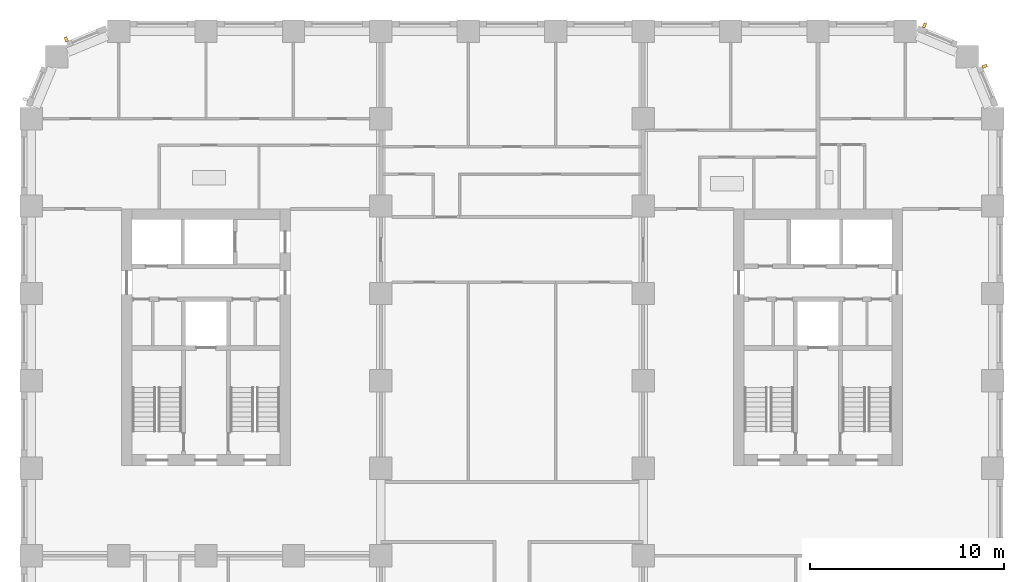
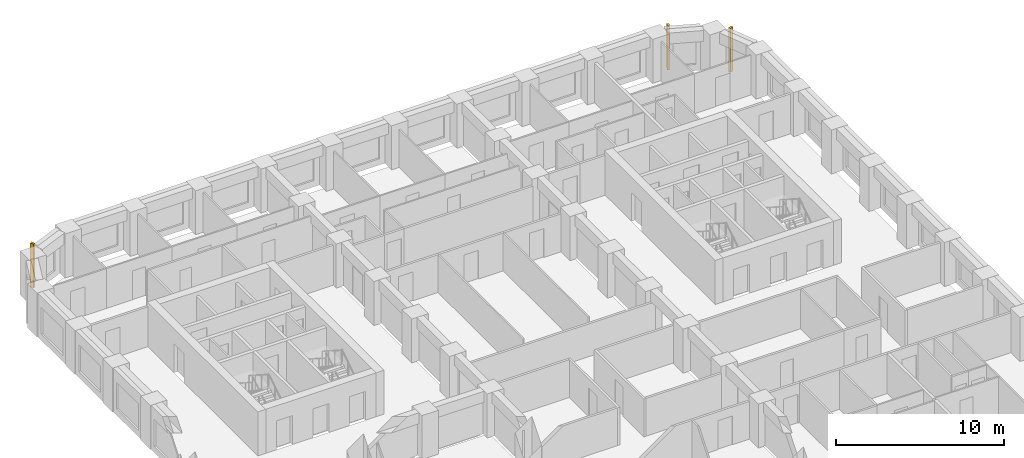
# One storey, part 12 of 13: 3 shading devices.
"""IFC4 building model written with IfcOpenShell, lengths in metres."""

from ifc_helpers import new_model, si_unit, direction, frame, origin, origin_2d, place, context, subcontext, project, spatial, rectangle, extrude, material, type_object, element, save


model = new_model("IFC4")

# Units and contexts
model_context = context("Model", 3, precision=1e-05, world=origin(), true_north=direction((0.0, 1.0)))
body_context = subcontext(model_context, "Body", "Model", "MODEL_VIEW")
ifc_project = project(units=[si_unit("LENGTHUNIT", "METRE"), si_unit("AREAUNIT", "SQUARE_METRE"), si_unit("VOLUMEUNIT", "CUBIC_METRE"), si_unit("PLANEANGLEUNIT", "RADIAN"), si_unit("MASSUNIT", "GRAM", prefix="KILO")], contexts=[model_context])

# Site, building, storey
site_placement = place(None, origin())
site = spatial("IfcSite", under=ifc_project, at=site_placement, CompositionType="ELEMENT")
building_placement = place(site_placement, origin())
building = spatial("IfcBuilding", under=site, at=building_placement, Name="Girih Gate Residences", CompositionType="ELEMENT")
storey_placement = place(building_placement, frame((0.0, 0.0, 92.800048828125)))
storey = spatial("IfcBuildingStorey", under=building, at=storey_placement, Name="L25", CompositionType="ELEMENT", Elevation=92.800048828125)

# Shading devices
ifc_material = material(Name="Precast concrete C50/60", Category="concrete")
shading_device_type = type_object("IfcShadingDeviceType", Name="Corner rib 150x250", PredefinedType="USERDEFINED", material=ifc_material)
for number, where, z_axis, x_axis, name in (
    (1, (49.087646484375, 47.6943359375, 0.0), (0.0, 0.0, 1.0), (-0.382683432365, 0.923879532511, 0.0), "Corner rib NE0495_0450.0"),
    (2, (45.985107421875, 49.79541015625, 0.0), (0.0, 0.0, 1.0), (-0.923879532511, 0.382683432365, 0.0), "Corner rib NE0482_0482.0"),
    (3, (1.8056640625, 49.087646484375, 0.0), (0.0, 0.0, 1.0), (-0.923879532511, -0.382683432365, 0.0), "Corner rib NW0045_0495.0"),
):
    element("IfcShadingDevice", number, at=place(storey_placement, frame(where, z_axis=z_axis, x_axis=x_axis)), inside=storey, type_object=shading_device_type, Name=name, ObjectType="FIN", PredefinedType="USERDEFINED", context=body_context, shape_type="SweptSolid", body=[
        extrude(rectangle(XDim=0.14990234375, YDim=0.25, at=origin_2d()), origin(), (0.0, 0.0, 1.0), 3.199951171875),
    ])

save(model, "model.ifc")
